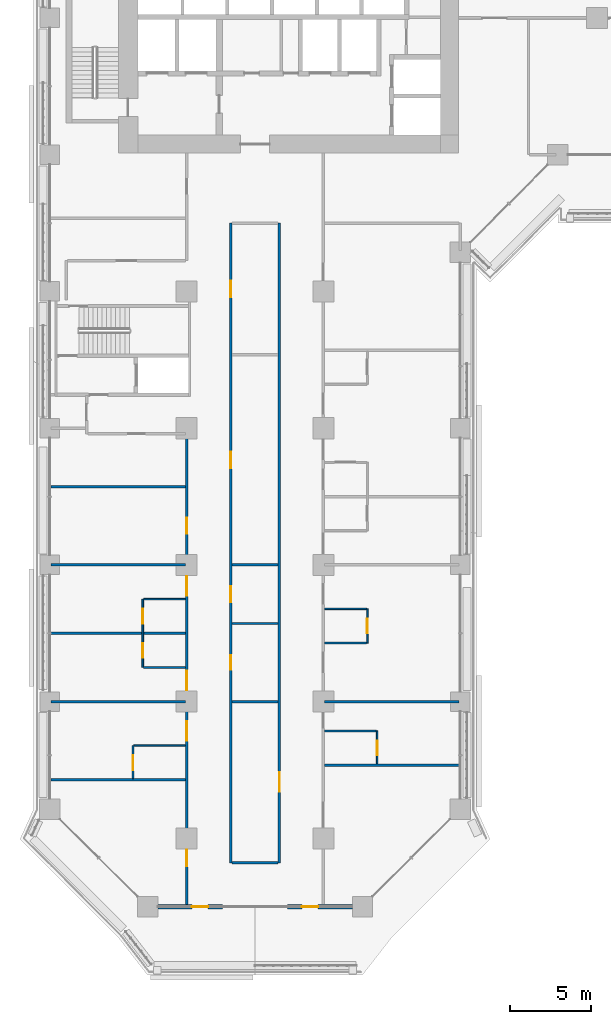
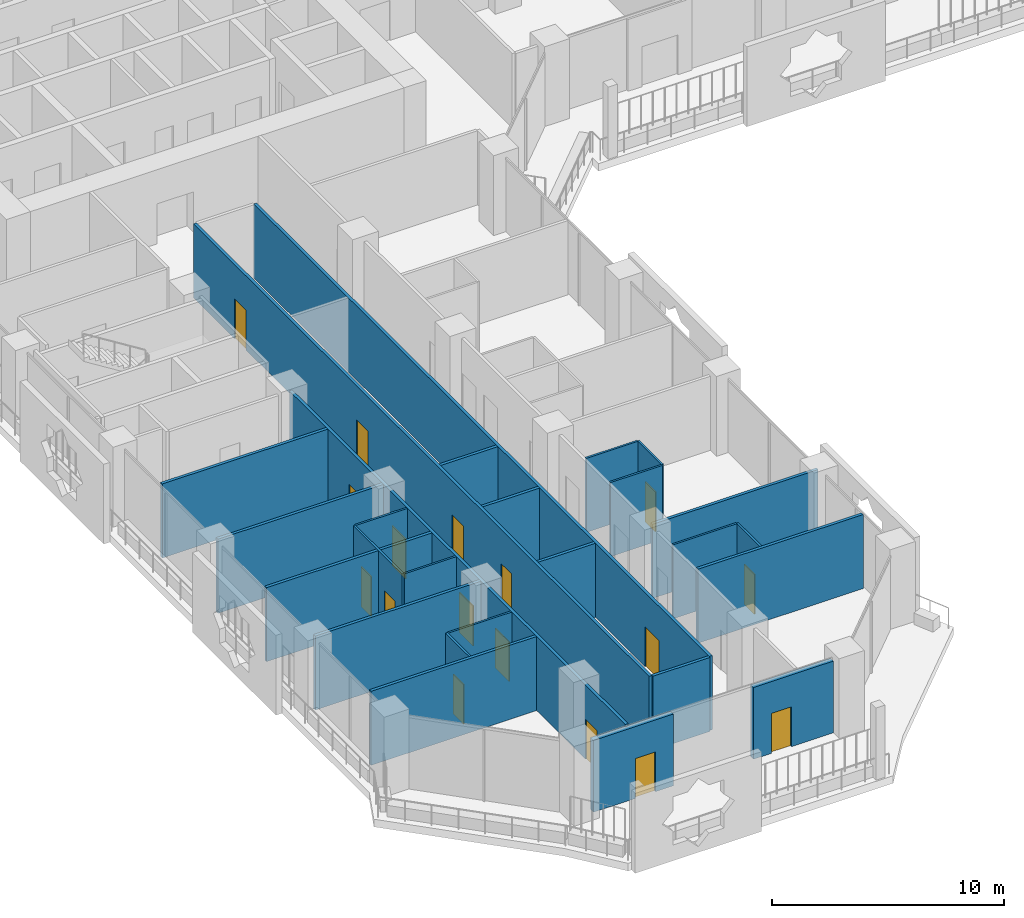
# One storey, part 13 of 28: 26 walls, 17 doors, 17 openings.
"""IFC4 building model written with IfcOpenShell, lengths in metres."""

from ifc_helpers import new_model, si_unit, direction, frame, frame_2d, origin, place, context, subcontext, project, spatial, rectangle, extrude, material, layer, layer_set, type_object, element, fill, save


model = new_model("IFC4")

# Units and contexts
model_context = context("Model", 3, precision=1e-05, world=origin(), true_north=direction((0.0, 1.0)))
body_context = subcontext(model_context, "Body", "Model", "MODEL_VIEW")
ifc_project = project(units=[si_unit("LENGTHUNIT", "METRE"), si_unit("AREAUNIT", "SQUARE_METRE"), si_unit("VOLUMEUNIT", "CUBIC_METRE"), si_unit("PLANEANGLEUNIT", "RADIAN"), si_unit("MASSUNIT", "GRAM", prefix="KILO")], contexts=[model_context])

# Site, building, storey
site_placement = place(None, origin())
site = spatial("IfcSite", under=ifc_project, at=site_placement, CompositionType="ELEMENT")
building_placement = place(site_placement, origin())
building = spatial("IfcBuilding", under=site, at=building_placement, Name="Kawkab Arch Medical Tower", CompositionType="ELEMENT")
storey_placement = place(building_placement, frame((0.0, 0.0, 72.800048828125)))
storey = spatial("IfcBuildingStorey", under=building, at=storey_placement, Name="L16", CompositionType="ELEMENT", Elevation=72.800048828125)

# Wall, opening, door
ifc_material_1 = material(Name="Bronze clad insulated wall panel")
ifc_layer_1 = layer(ifc_material_1, 0.25)
ifc_layer_set_1 = layer_set([ifc_layer_1], Name="Bronze clad insulated wall panel")
wall_type_1 = type_object("IfcWallType", Name="External wall bay 250", PredefinedType="SOLIDWALL", material=ifc_layer_set_1)
wall_1_placement = place(storey_placement, frame((6.625, -71.39990234375, 0.0), z_axis=(0.0, 0.0, 1.0), x_axis=(1.0, 0.0, 0.0)))
wall_1 = element("IfcWall", 1, at=wall_1_placement, inside=storey, type_object=wall_type_1, Name="External wall bay L16.R03.1.1", PredefinedType="SOLIDWALL", context=body_context, shape_type="SweptSolid", body=[
    extrude(rectangle(XDim=3.9833984375, YDim=0.25, at=frame_2d((1.99169921875, 0.0))), origin(), (0.0, 0.0, 1.0), 3.780029296875),
])
opening_1_placement = place(wall_1_placement, frame((2.091796875, 0.0, 0.0)))
opening_1 = element("IfcOpeningElement", 2, at=opening_1_placement, cuts=wall_1, Name="Opening W11-702", PredefinedType="OPENING", context=body_context, shape_type="SweptSolid", body=[
    extrude(rectangle(XDim=1.0, YDim=2.10009765625, at=frame_2d((0.5, 1.050048828125))), frame((0.0, 0.135009765625, 0.0), z_axis=(0.0, -1.0, 0.0), x_axis=(1.0, 0.0, 0.0)), (0.0, 0.0, 1.0), 0.27001953125),
])
ifc_material_2 = material(Name="Bronze anodised aluminium door with tinted glass", Category="aluminium")
door_type_1 = type_object("IfcDoorType", Name="Single external door 1000 x 2100", OperationType="SINGLE_SWING_LEFT", PredefinedType="DOOR", material=ifc_material_2)
door_1_placement = place(opening_1_placement, origin())
door_1 = element("IfcDoor", 3, at=door_1_placement, inside=storey, type_object=door_type_1, Name="External door L16.R03.1.1", OperationType="SINGLE_SWING_LEFT", OverallHeight=2.10009765625, OverallWidth=1.0, PredefinedType="DOOR", context=body_context, shape_type="SweptSolid", body=[
    extrude(rectangle(XDim=1.0, YDim=2.10009765625, at=frame_2d((0.5, 1.050048828125))), frame((0.0, 0.02490234375, 0.0), z_axis=(0.0, -1.0, 0.0), x_axis=(1.0, 0.0, 0.0)), (0.0, 0.0, 1.0), 0.050048828125),
])
fill(opening_1, door_1)

wall_2_placement = place(storey_placement, frame((14.591552734375, -71.39990234375, 0.0), z_axis=(0.0, 0.0, 1.0), x_axis=(1.0, 0.0, 0.0)))
wall_2 = element("IfcWall", 4, at=wall_2_placement, inside=storey, type_object=wall_type_1, Name="External wall bay L16.R03.1.3", PredefinedType="SOLIDWALL", context=body_context, shape_type="SweptSolid", body=[
    extrude(rectangle(XDim=3.9833984375, YDim=0.25, at=frame_2d((1.99169921875, 0.0))), origin(), (0.0, 0.0, 1.0), 3.780029296875),
])
opening_2_placement = place(wall_2_placement, frame((0.8916015625, 0.0, 0.0)))
opening_2 = element("IfcOpeningElement", 5, at=opening_2_placement, cuts=wall_2, Name="Opening W11-702", PredefinedType="OPENING", context=body_context, shape_type="SweptSolid", body=[
    extrude(rectangle(XDim=1.0, YDim=2.10009765625, at=frame_2d((0.5, 1.050048828125))), frame((0.0, 0.135009765625, 0.0), z_axis=(0.0, -1.0, 0.0), x_axis=(1.0, 0.0, 0.0)), (0.0, 0.0, 1.0), 0.27001953125),
])
door_2_placement = place(opening_2_placement, origin())
door_2 = element("IfcDoor", 6, at=door_2_placement, inside=storey, type_object=door_type_1, Name="External door L16.R03.1.3", OperationType="SINGLE_SWING_LEFT", OverallHeight=2.10009765625, OverallWidth=1.0, PredefinedType="DOOR", context=body_context, shape_type="SweptSolid", body=[
    extrude(rectangle(XDim=1.0, YDim=2.10009765625, at=frame_2d((0.5, 1.050048828125))), frame((0.0, 0.02490234375, 0.0), z_axis=(0.0, -1.0, 0.0), x_axis=(1.0, 0.0, 0.0)), (0.0, 0.0, 1.0), 0.050048828125),
])
fill(opening_2, door_2)

# Walls
ifc_material_3 = material(Name="Gypsum board partition on steel studs", Category="steel")
ifc_layer_2 = layer(ifc_material_3, 0.10009765625)
ifc_layer_set_2 = layer_set([ifc_layer_2], Name="Gypsum board partition on steel studs")
wall_type_2 = type_object("IfcWallType", Name="Partition 100", PredefinedType="PARTITIONING", material=ifc_layer_set_2)
for number, where, z_axis, x_axis, name in (
    (7, (5.14990234375, -61.5, 0.0), (0.0, 0.0, 1.0), (1.0, 0.0, 0.0), "Partition 100 w001"),
    (8, (16.875, -60.60009765625, 0.0), (0.0, 0.0, 1.0), (1.0, 0.0, 0.0), "Partition 100 w002"),
):
    element("IfcWall", number, at=place(storey_placement, frame(where, z_axis=z_axis, x_axis=x_axis)), inside=storey, type_object=wall_type_2, Name=name, PredefinedType="PARTITIONING", context=body_context, shape_type="SweptSolid", body=[
        extrude(rectangle(XDim=3.175048828125, YDim=0.10009765625, at=frame_2d((1.58740234375, 0.0))), origin(), (0.0, 0.0, 1.0), 3.89990234375),
    ])
wall_3_placement = place(storey_placement, frame((5.75, -56.699951171875, 0.0), z_axis=(0.0, 0.0, 1.0), x_axis=(1.0, 0.0, 0.0)))
element("IfcWall", 9, at=wall_3_placement, inside=storey, type_object=wall_type_2, Name="Partition 100 w003", PredefinedType="PARTITIONING", context=body_context, shape_type="SweptSolid", body=[
    extrude(rectangle(XDim=2.574951171875, YDim=0.10009765625, at=frame_2d((1.28759765625, 0.0))), origin(), (0.0, 0.0, 1.0), 3.89990234375),
])
wall_4_placement = place(storey_placement, frame((16.875, -55.199951171875, 0.0), z_axis=(0.0, 0.0, 1.0), x_axis=(1.0, 0.0, 0.0)))
element("IfcWall", 10, at=wall_4_placement, inside=storey, type_object=wall_type_2, Name="Partition 100 w004", PredefinedType="PARTITIONING", context=body_context, shape_type="SweptSolid", body=[
    extrude(rectangle(XDim=2.572998046875, YDim=0.10009765625, at=frame_2d((1.28662109375, 0.0))), origin(), (0.0, 0.0, 1.0), 3.89990234375),
])
wall_5_placement = place(storey_placement, frame((16.875, -53.10009765625, 0.0), z_axis=(0.0, 0.0, 1.0), x_axis=(1.0, 0.0, 0.0)))
element("IfcWall", 11, at=wall_5_placement, inside=storey, type_object=wall_type_2, Name="Partition 100 w005", PredefinedType="PARTITIONING", context=body_context, shape_type="SweptSolid", body=[
    extrude(rectangle(XDim=2.573974609375, YDim=0.10009765625, at=frame_2d((1.287109375, 0.0))), origin(), (0.0, 0.0, 1.0), 3.89990234375),
])
wall_6_placement = place(storey_placement, frame((5.75, -52.5, 0.0), z_axis=(0.0, 0.0, 1.0), x_axis=(1.0, 0.0, 0.0)))
element("IfcWall", 12, at=wall_6_placement, inside=storey, type_object=wall_type_2, Name="Partition 100 w006", PredefinedType="PARTITIONING", context=body_context, shape_type="SweptSolid", body=[
    extrude(rectangle(XDim=2.574951171875, YDim=0.10009765625, at=frame_2d((1.28759765625, 0.0))), origin(), (0.0, 0.0, 1.0), 3.89990234375),
])

# Wall, opening, door
wall_7_placement = place(storey_placement, frame((5.10009765625, -63.52490234375, 0.0), z_axis=(0.0, 0.0, 1.0), x_axis=(0.0, 1.0, 0.0)))
wall_7 = element("IfcWall", 13, at=wall_7_placement, inside=storey, type_object=wall_type_2, Name="Partition 100 w021", PredefinedType="PARTITIONING", context=body_context, shape_type="SweptSolid", body=[
    extrude(rectangle(XDim=2.02490234375, YDim=0.10009765625, at=frame_2d((1.012451171875, 0.0))), origin(), (0.0, 0.0, 1.0), 3.89990234375),
])
opening_3_placement = place(wall_7_placement, frame((0.52490234375, 0.0, 0.0)))
opening_3 = element("IfcOpeningElement", 14, at=opening_3_placement, cuts=wall_7, Name="Opening W11-020", PredefinedType="OPENING", context=body_context, shape_type="SweptSolid", body=[
    extrude(rectangle(XDim=0.89990234375, YDim=2.10009765625, at=frame_2d((0.449951171875, 1.050048828125))), frame((0.0, 0.06005859375, 0.0), z_axis=(0.0, -1.0, 0.0), x_axis=(1.0, 0.0, 0.0)), (0.0, 0.0, 1.0), 0.1201171875),
])
ifc_material_4 = material(Name="Timber door leaf", Category="wood")
door_type_2 = type_object("IfcDoorType", Name="Single door 900x2100", OperationType="NOTDEFINED", PredefinedType="DOOR", material=ifc_material_4)
door_3_placement = place(opening_3_placement, origin())
door_3 = element("IfcDoor", 15, at=door_3_placement, inside=storey, type_object=door_type_2, Name="Door W11-020", OperationType="SINGLE_SWING_RIGHT", OverallHeight=2.10009765625, OverallWidth=0.89990234375, PredefinedType="DOOR", context=body_context, shape_type="SweptSolid", body=[
    extrude(rectangle(XDim=0.89990234375, YDim=2.10009765625, at=frame_2d((0.449951171875, 1.050048828125))), frame((0.0, 0.02490234375, 0.0), z_axis=(0.0, -1.0, 0.0), x_axis=(1.0, 0.0, 0.0)), (0.0, 0.0, 1.0), 0.050048828125),
])
fill(opening_3, door_3)

# Wall, openings, doors
wall_8_placement = place(storey_placement, frame((5.699951171875, -56.699951171875, 0.0), z_axis=(0.0, 0.0, 1.0), x_axis=(0.0, 1.0, 0.0)))
wall_8 = element("IfcWall", 16, at=wall_8_placement, inside=storey, type_object=wall_type_2, Name="Partition 100 w022", PredefinedType="PARTITIONING", context=body_context, shape_type="SweptSolid", body=[
    extrude(rectangle(XDim=4.199951171875, YDim=0.10009765625, at=frame_2d((2.10009765625, 0.0))), origin(), (0.0, 0.0, 1.0), 3.89990234375),
])
opening_4_placement = place(wall_8_placement, frame((2.699951171875, 0.0, 0.0)))
opening_4 = element("IfcOpeningElement", 17, at=opening_4_placement, cuts=wall_8, Name="Opening W11-018", PredefinedType="OPENING", context=body_context, shape_type="SweptSolid", body=[
    extrude(rectangle(XDim=0.89990234375, YDim=2.10009765625, at=frame_2d((0.449951171875, 1.050048828125))), frame((0.0, 0.06005859375, 0.0), z_axis=(0.0, -1.0, 0.0), x_axis=(1.0, 0.0, 0.0)), (0.0, 0.0, 1.0), 0.1201171875),
])
opening_5_placement = place(wall_8_placement, frame((0.60009765625, 0.0, 0.0)))
opening_5 = element("IfcOpeningElement", 18, at=opening_5_placement, cuts=wall_8, Name="Opening W11-019", PredefinedType="OPENING", context=body_context, shape_type="SweptSolid", body=[
    extrude(rectangle(XDim=0.89990234375, YDim=2.10009765625, at=frame_2d((0.449951171875, 1.050048828125))), frame((0.0, 0.06005859375, 0.0), z_axis=(0.0, -1.0, 0.0), x_axis=(1.0, 0.0, 0.0)), (0.0, 0.0, 1.0), 0.1201171875),
])
door_4_placement = place(opening_4_placement, origin())
door_4 = element("IfcDoor", 19, at=door_4_placement, inside=storey, type_object=door_type_2, Name="Door W11-018", OperationType="SINGLE_SWING_RIGHT", OverallHeight=2.10009765625, OverallWidth=0.89990234375, PredefinedType="DOOR", context=body_context, shape_type="SweptSolid", body=[
    extrude(rectangle(XDim=0.89990234375, YDim=2.10009765625, at=frame_2d((0.449951171875, 1.050048828125))), frame((0.0, 0.02490234375, 0.0), z_axis=(0.0, -1.0, 0.0), x_axis=(1.0, 0.0, 0.0)), (0.0, 0.0, 1.0), 0.050048828125),
])
fill(opening_4, door_4)
door_5_placement = place(opening_5_placement, origin())
door_5 = element("IfcDoor", 20, at=door_5_placement, inside=storey, type_object=door_type_2, Name="Door W11-019", OperationType="SINGLE_SWING_LEFT", OverallHeight=2.10009765625, OverallWidth=0.89990234375, PredefinedType="DOOR", context=body_context, shape_type="SweptSolid", body=[
    extrude(rectangle(XDim=0.89990234375, YDim=2.10009765625, at=frame_2d((0.449951171875, 1.050048828125))), frame((0.0, 0.02490234375, 0.0), z_axis=(0.0, -1.0, 0.0), x_axis=(1.0, 0.0, 0.0)), (0.0, 0.0, 1.0), 0.050048828125),
])
fill(opening_5, door_5)

# Wall, opening, door
wall_9_placement = place(storey_placement, frame((19.5, -55.197998046875, 0.0), z_axis=(0.0, 0.0, 1.0), x_axis=(0.0, 1.0, 0.0)))
wall_9 = element("IfcWall", 21, at=wall_9_placement, inside=storey, type_object=wall_type_2, Name="Partition 100 w023", PredefinedType="PARTITIONING", context=body_context, shape_type="SweptSolid", body=[
    extrude(rectangle(XDim=2.095947265625, YDim=0.10009765625, at=frame_2d((1.0478515625, 0.0))), origin(), (0.0, 0.0, 1.0), 3.89990234375),
])
opening_6_placement = place(wall_9_placement, frame((0.597900390625, 0.0, 0.0)))
opening_6 = element("IfcOpeningElement", 22, at=opening_6_placement, cuts=wall_9, Name="Opening W11-024", PredefinedType="OPENING", context=body_context, shape_type="SweptSolid", body=[
    extrude(rectangle(XDim=0.89990234375, YDim=2.10009765625, at=frame_2d((0.449951171875, 1.050048828125))), frame((0.0, 0.06005859375, 0.0), z_axis=(0.0, -1.0, 0.0), x_axis=(1.0, 0.0, 0.0)), (0.0, 0.0, 1.0), 0.1201171875),
])
door_6_placement = place(opening_6_placement, origin())
door_6 = element("IfcDoor", 23, at=door_6_placement, inside=storey, type_object=door_type_2, Name="Door W11-024", OperationType="SINGLE_SWING_RIGHT", OverallHeight=2.10009765625, OverallWidth=0.89990234375, PredefinedType="DOOR", context=body_context, shape_type="SweptSolid", body=[
    extrude(rectangle(XDim=0.89990234375, YDim=2.10009765625, at=frame_2d((0.449951171875, 1.050048828125))), frame((0.0, 0.02490234375, 0.0), z_axis=(0.0, -1.0, 0.0), x_axis=(1.0, 0.0, 0.0)), (0.0, 0.0, 1.0), 0.050048828125),
])
fill(opening_6, door_6)

wall_10_placement = place(storey_placement, frame((20.10009765625, -62.625, 0.0), z_axis=(0.0, 0.0, 1.0), x_axis=(0.0, 1.0, 0.0)))
wall_10 = element("IfcWall", 24, at=wall_10_placement, inside=storey, type_object=wall_type_2, Name="Partition 100 w026", PredefinedType="PARTITIONING", context=body_context, shape_type="SweptSolid", body=[
    extrude(rectangle(XDim=2.02490234375, YDim=0.10009765625, at=frame_2d((1.012451171875, 0.0))), origin(), (0.0, 0.0, 1.0), 3.89990234375),
])
opening_7_placement = place(wall_10_placement, frame((0.52490234375, 0.0, 0.0)))
opening_7 = element("IfcOpeningElement", 25, at=opening_7_placement, cuts=wall_10, Name="Opening W11-025", PredefinedType="OPENING", context=body_context, shape_type="SweptSolid", body=[
    extrude(rectangle(XDim=0.89990234375, YDim=2.10009765625, at=frame_2d((0.449951171875, 1.050048828125))), frame((0.0, 0.06005859375, 0.0), z_axis=(0.0, -1.0, 0.0), x_axis=(1.0, 0.0, 0.0)), (0.0, 0.0, 1.0), 0.1201171875),
])
door_7_placement = place(opening_7_placement, origin())
door_7 = element("IfcDoor", 26, at=door_7_placement, inside=storey, type_object=door_type_2, Name="Door W11-025", OperationType="SINGLE_SWING_RIGHT", OverallHeight=2.10009765625, OverallWidth=0.89990234375, PredefinedType="DOOR", context=body_context, shape_type="SweptSolid", body=[
    extrude(rectangle(XDim=0.89990234375, YDim=2.10009765625, at=frame_2d((0.449951171875, 1.050048828125))), frame((0.0, 0.02490234375, 0.0), z_axis=(0.0, -1.0, 0.0), x_axis=(1.0, 0.0, 0.0)), (0.0, 0.0, 1.0), 0.050048828125),
])
fill(opening_7, door_7)

# Walls
ifc_material_5 = material(Name="Gypsum board partition on steel studs, mineral wool", Category="steel")
ifc_layer_3 = layer(ifc_material_5, 0.14990234375)
ifc_layer_set_3 = layer_set([ifc_layer_3], Name="Gypsum board partition on steel studs, mineral wool")
wall_type_3 = type_object("IfcWallType", Name="Partition 150", PredefinedType="PARTITIONING", material=ifc_layer_set_3)
wall_11_placement = place(storey_placement, frame((11.175048828125, -68.699951171875, 0.0), z_axis=(0.0, 0.0, 1.0), x_axis=(1.0, 0.0, 0.0)))
element("IfcWall", 27, at=wall_11_placement, inside=storey, type_object=wall_type_3, Name="Partition 150 w039", PredefinedType="PARTITIONING", context=body_context, shape_type="SweptSolid", body=[
    extrude(rectangle(XDim=2.849853515625, YDim=0.14990234375, at=frame_2d((1.4248046875, 0.0))), origin(), (0.0, 0.0, 1.0), 3.89990234375),
])
wall_12_placement = place(storey_placement, frame((0.080078125, -63.60009765625, 0.0), z_axis=(0.0, 0.0, 1.0), x_axis=(1.0, 0.0, 0.0)))
element("IfcWall", 28, at=wall_12_placement, inside=storey, type_object=wall_type_3, Name="Partition 150 w040", PredefinedType="PARTITIONING", context=body_context, shape_type="SweptSolid", body=[
    extrude(rectangle(XDim=8.244873046875, YDim=0.14990234375, at=frame_2d((4.12255859375, 0.0))), origin(), (0.0, 0.0, 1.0), 3.89990234375),
])
wall_13_placement = place(storey_placement, frame((16.875, -62.699951171875, 0.0), z_axis=(0.0, 0.0, 1.0), x_axis=(1.0, 0.0, 0.0)))
element("IfcWall", 29, at=wall_13_placement, inside=storey, type_object=wall_type_3, Name="Partition 150 w041", PredefinedType="PARTITIONING", context=body_context, shape_type="SweptSolid", body=[
    extrude(rectangle(XDim=8.2451171875, YDim=0.14990234375, at=frame_2d((4.12255859375, 0.0))), origin(), (0.0, 0.0, 1.0), 3.89990234375),
])
wall_14_placement = place(storey_placement, frame((0.080078125, -58.800048828125, 0.0), z_axis=(0.0, 0.0, 1.0), x_axis=(1.0, 0.0, 0.0)))
element("IfcWall", 30, at=wall_14_placement, inside=storey, type_object=wall_type_3, Name="Partition 150 w042", PredefinedType="PARTITIONING", context=body_context, shape_type="SweptSolid", body=[
    extrude(rectangle(XDim=8.244873046875, YDim=0.14990234375, at=frame_2d((4.12255859375, 0.0))), origin(), (0.0, 0.0, 1.0), 3.89990234375),
])
wall_15_placement = place(storey_placement, frame((11.175048828125, -58.800048828125, 0.0), z_axis=(0.0, 0.0, 1.0), x_axis=(1.0, 0.0, 0.0)))
element("IfcWall", 31, at=wall_15_placement, inside=storey, type_object=wall_type_3, Name="Partition 150 w043", PredefinedType="PARTITIONING", context=body_context, shape_type="SweptSolid", body=[
    extrude(rectangle(XDim=2.849853515625, YDim=0.14990234375, at=frame_2d((1.4248046875, 0.0))), origin(), (0.0, 0.0, 1.0), 3.89990234375),
])
wall_16_placement = place(storey_placement, frame((16.875, -58.800048828125, 0.0), z_axis=(0.0, 0.0, 1.0), x_axis=(1.0, 0.0, 0.0)))
element("IfcWall", 32, at=wall_16_placement, inside=storey, type_object=wall_type_3, Name="Partition 150 w044", PredefinedType="PARTITIONING", context=body_context, shape_type="SweptSolid", body=[
    extrude(rectangle(XDim=8.2451171875, YDim=0.14990234375, at=frame_2d((4.12255859375, 0.0))), origin(), (0.0, 0.0, 1.0), 3.89990234375),
])
wall_17_placement = place(storey_placement, frame((0.080078125, -54.60009765625, 0.0), z_axis=(0.0, 0.0, 1.0), x_axis=(1.0, 0.0, 0.0)))
element("IfcWall", 33, at=wall_17_placement, inside=storey, type_object=wall_type_3, Name="Partition 150 w045", PredefinedType="PARTITIONING", context=body_context, shape_type="SweptSolid", body=[
    extrude(rectangle(XDim=8.244873046875, YDim=0.14990234375, at=frame_2d((4.12255859375, 0.0))), origin(), (0.0, 0.0, 1.0), 3.89990234375),
])
wall_18_placement = place(storey_placement, frame((11.175048828125, -54.0, 0.0), z_axis=(0.0, 0.0, 1.0), x_axis=(1.0, 0.0, 0.0)))
element("IfcWall", 34, at=wall_18_placement, inside=storey, type_object=wall_type_3, Name="Partition 150 w046", PredefinedType="PARTITIONING", context=body_context, shape_type="SweptSolid", body=[
    extrude(rectangle(XDim=2.849853515625, YDim=0.14990234375, at=frame_2d((1.4248046875, 0.0))), origin(), (0.0, 0.0, 1.0), 3.89990234375),
])
wall_19_placement = place(storey_placement, frame((0.080078125, -50.39990234375, 0.0), z_axis=(0.0, 0.0, 1.0), x_axis=(1.0, 0.0, 0.0)))
element("IfcWall", 35, at=wall_19_placement, inside=storey, type_object=wall_type_3, Name="Partition 150 w047", PredefinedType="PARTITIONING", context=body_context, shape_type="SweptSolid", body=[
    extrude(rectangle(XDim=8.244873046875, YDim=0.14990234375, at=frame_2d((4.12255859375, 0.0))), origin(), (0.0, 0.0, 1.0), 3.89990234375),
])
wall_20_placement = place(storey_placement, frame((11.175048828125, -50.39990234375, 0.0), z_axis=(0.0, 0.0, 1.0), x_axis=(1.0, 0.0, 0.0)))
element("IfcWall", 36, at=wall_20_placement, inside=storey, type_object=wall_type_3, Name="Partition 150 w048", PredefinedType="PARTITIONING", context=body_context, shape_type="SweptSolid", body=[
    extrude(rectangle(XDim=2.849853515625, YDim=0.14990234375, at=frame_2d((1.4248046875, 0.0))), origin(), (0.0, 0.0, 1.0), 3.89990234375),
])
wall_21_placement = place(storey_placement, frame((0.080078125, -45.60009765625, 0.0), z_axis=(0.0, 0.0, 1.0), x_axis=(1.0, 0.0, 0.0)))
element("IfcWall", 37, at=wall_21_placement, inside=storey, type_object=wall_type_3, Name="Partition 150 w051", PredefinedType="PARTITIONING", context=body_context, shape_type="SweptSolid", body=[
    extrude(rectangle(XDim=8.244873046875, YDim=0.14990234375, at=frame_2d((4.12255859375, 0.0))), origin(), (0.0, 0.0, 1.0), 3.89990234375),
])

# Wall, openings, doors
wall_22_placement = place(storey_placement, frame((8.39990234375, -71.320068359375, 0.0), z_axis=(0.0, 0.0, 1.0), x_axis=(0.0, 1.0, 0.0)))
wall_22 = element("IfcWall", 38, at=wall_22_placement, inside=storey, type_object=wall_type_3, Name="Partition 150 w073", PredefinedType="PARTITIONING", context=body_context, shape_type="SweptSolid", body=[
    extrude(rectangle(XDim=28.969970703125, YDim=0.14990234375, at=frame_2d((14.48486328125, 0.0))), origin(), (0.0, 0.0, 1.0), 3.89990234375),
])
opening_8_placement = place(wall_22_placement, frame((22.820068359375, 0.0, 0.0)))
opening_8 = element("IfcOpeningElement", 39, at=opening_8_placement, cuts=wall_22, Name="Opening W11-035", PredefinedType="OPENING", context=body_context, shape_type="SweptSolid", body=[
    extrude(rectangle(XDim=1.0, YDim=2.10009765625, at=frame_2d((0.5, 1.050048828125))), frame((0.0, 0.0849609375, 0.0), z_axis=(0.0, -1.0, 0.0), x_axis=(1.0, 0.0, 0.0)), (0.0, 0.0, 1.0), 0.169921875),
])
opening_9_placement = place(wall_22_placement, frame((19.02001953125, 0.0, 0.0)))
opening_9 = element("IfcOpeningElement", 40, at=opening_9_placement, cuts=wall_22, Name="Opening W11-063", PredefinedType="OPENING", context=body_context, shape_type="SweptSolid", body=[
    extrude(rectangle(XDim=1.199951171875, YDim=2.10009765625, at=frame_2d((0.60009765625, 1.050048828125))), frame((0.0, 0.0849609375, 0.0), z_axis=(0.0, -1.0, 0.0), x_axis=(1.0, 0.0, 0.0)), (0.0, 0.0, 1.0), 0.169921875),
])
opening_10_placement = place(wall_22_placement, frame((13.219970703125, 0.0, 0.0)))
opening_10 = element("IfcOpeningElement", 41, at=opening_10_placement, cuts=wall_22, Name="Opening W11-064", PredefinedType="OPENING", context=body_context, shape_type="SweptSolid", body=[
    extrude(rectangle(XDim=1.199951171875, YDim=2.10009765625, at=frame_2d((0.60009765625, 1.050048828125))), frame((0.0, 0.0849609375, 0.0), z_axis=(0.0, -1.0, 0.0), x_axis=(1.0, 0.0, 0.0)), (0.0, 0.0, 1.0), 0.169921875),
])
opening_11_placement = place(wall_22_placement, frame((10.1201171875, 0.0, 0.0)))
opening_11 = element("IfcOpeningElement", 42, at=opening_11_placement, cuts=wall_22, Name="Opening W11-065", PredefinedType="OPENING", context=body_context, shape_type="SweptSolid", body=[
    extrude(rectangle(XDim=1.199951171875, YDim=2.10009765625, at=frame_2d((0.60009765625, 1.050048828125))), frame((0.0, 0.0849609375, 0.0), z_axis=(0.0, -1.0, 0.0), x_axis=(1.0, 0.0, 0.0)), (0.0, 0.0, 1.0), 0.169921875),
])
opening_12_placement = place(wall_22_placement, frame((2.419921875, 0.0, 0.0)))
opening_12 = element("IfcOpeningElement", 43, at=opening_12_placement, cuts=wall_22, Name="Opening W11-036", PredefinedType="OPENING", context=body_context, shape_type="SweptSolid", body=[
    extrude(rectangle(XDim=1.0, YDim=2.10009765625, at=frame_2d((0.5, 1.050048828125))), frame((0.0, 0.0849609375, 0.0), z_axis=(0.0, -1.0, 0.0), x_axis=(1.0, 0.0, 0.0)), (0.0, 0.0, 1.0), 0.169921875),
])
ifc_material_6 = material(Name="Hollow metal door leaf")
door_type_3 = type_object("IfcDoorType", Name="Single door 1000x2100 FD30S", OperationType="NOTDEFINED", PredefinedType="DOOR", material=ifc_material_6)
door_8_placement = place(opening_8_placement, origin())
door_8 = element("IfcDoor", 44, at=door_8_placement, inside=storey, type_object=door_type_3, Name="Door W11-035", OperationType="SINGLE_SWING_RIGHT", OverallHeight=2.10009765625, OverallWidth=1.0, PredefinedType="DOOR", context=body_context, shape_type="SweptSolid", body=[
    extrude(rectangle(XDim=1.0, YDim=2.10009765625, at=frame_2d((0.5, 1.050048828125))), frame((0.0, 0.02490234375, 0.0), z_axis=(0.0, -1.0, 0.0), x_axis=(1.0, 0.0, 0.0)), (0.0, 0.0, 1.0), 0.050048828125),
])
fill(opening_8, door_8)
door_9_placement = place(opening_12_placement, origin())
door_9 = element("IfcDoor", 45, at=door_9_placement, inside=storey, type_object=door_type_3, Name="Door W11-036", OperationType="SINGLE_SWING_LEFT", OverallHeight=2.10009765625, OverallWidth=1.0, PredefinedType="DOOR", context=body_context, shape_type="SweptSolid", body=[
    extrude(rectangle(XDim=1.0, YDim=2.10009765625, at=frame_2d((0.5, 1.050048828125))), frame((0.0, 0.02490234375, 0.0), z_axis=(0.0, -1.0, 0.0), x_axis=(1.0, 0.0, 0.0)), (0.0, 0.0, 1.0), 0.050048828125),
])
fill(opening_12, door_9)
ifc_material_7 = material(Name="Hollow metal door leaf")
door_type_4 = type_object("IfcDoorType", Name="Single door 1200x2100 FD30S", OperationType="NOTDEFINED", PredefinedType="DOOR", material=ifc_material_7)
door_10_placement = place(opening_9_placement, origin())
door_10 = element("IfcDoor", 46, at=door_10_placement, inside=storey, type_object=door_type_4, Name="Door W11-063", OperationType="SINGLE_SWING_RIGHT", OverallHeight=2.10009765625, OverallWidth=1.199951171875, PredefinedType="DOOR", context=body_context, shape_type="SweptSolid", body=[
    extrude(rectangle(XDim=1.199951171875, YDim=2.10009765625, at=frame_2d((0.60009765625, 1.050048828125))), frame((0.0, 0.02490234375, 0.0), z_axis=(0.0, -1.0, 0.0), x_axis=(1.0, 0.0, 0.0)), (0.0, 0.0, 1.0), 0.050048828125),
])
fill(opening_9, door_10)
door_11_placement = place(opening_10_placement, origin())
door_11 = element("IfcDoor", 47, at=door_11_placement, inside=storey, type_object=door_type_4, Name="Door W11-064", OperationType="SINGLE_SWING_LEFT", OverallHeight=2.10009765625, OverallWidth=1.199951171875, PredefinedType="DOOR", context=body_context, shape_type="SweptSolid", body=[
    extrude(rectangle(XDim=1.199951171875, YDim=2.10009765625, at=frame_2d((0.60009765625, 1.050048828125))), frame((0.0, 0.02490234375, 0.0), z_axis=(0.0, -1.0, 0.0), x_axis=(1.0, 0.0, 0.0)), (0.0, 0.0, 1.0), 0.050048828125),
])
fill(opening_10, door_11)
door_12_placement = place(opening_11_placement, origin())
door_12 = element("IfcDoor", 48, at=door_12_placement, inside=storey, type_object=door_type_4, Name="Door W11-065", OperationType="SINGLE_SWING_LEFT", OverallHeight=2.10009765625, OverallWidth=1.199951171875, PredefinedType="DOOR", context=body_context, shape_type="SweptSolid", body=[
    extrude(rectangle(XDim=1.199951171875, YDim=2.10009765625, at=frame_2d((0.60009765625, 1.050048828125))), frame((0.0, 0.02490234375, 0.0), z_axis=(0.0, -1.0, 0.0), x_axis=(1.0, 0.0, 0.0)), (0.0, 0.0, 1.0), 0.050048828125),
])
fill(opening_11, door_12)

wall_23_placement = place(storey_placement, frame((11.10009765625, -68.699951171875, 0.0), z_axis=(0.0, 0.0, 1.0), x_axis=(0.0, 1.0, 0.0)))
wall_23 = element("IfcWall", 49, at=wall_23_placement, inside=storey, type_object=wall_type_3, Name="Partition 150 w075", PredefinedType="PARTITIONING", context=body_context, shape_type="SweptSolid", body=[
    extrude(rectangle(XDim=39.300048828125, YDim=0.14990234375, at=frame_2d((19.64990234375, 0.0))), origin(), (0.0, 0.0, 1.0), 3.89990234375),
])
opening_13_placement = place(wall_23_placement, frame((34.75, 0.0, 0.0)))
opening_13 = element("IfcOpeningElement", 50, at=opening_13_placement, cuts=wall_23, Name="Opening W11-037", PredefinedType="OPENING", context=body_context, shape_type="SweptSolid", body=[
    extrude(rectangle(XDim=1.0, YDim=2.10009765625, at=frame_2d((0.5, 1.050048828125))), frame((0.0, 0.0849609375, 0.0), z_axis=(0.0, -1.0, 0.0), x_axis=(1.0, 0.0, 0.0)), (0.0, 0.0, 1.0), 0.169921875),
])
opening_14_placement = place(wall_23_placement, frame((24.25, 0.0, 0.0)))
opening_14 = element("IfcOpeningElement", 51, at=opening_14_placement, cuts=wall_23, Name="Opening W11-038", PredefinedType="OPENING", context=body_context, shape_type="SweptSolid", body=[
    extrude(rectangle(XDim=1.0, YDim=2.10009765625, at=frame_2d((0.5, 1.050048828125))), frame((0.0, 0.0849609375, 0.0), z_axis=(0.0, -1.0, 0.0), x_axis=(1.0, 0.0, 0.0)), (0.0, 0.0, 1.0), 0.169921875),
])
opening_15_placement = place(wall_23_placement, frame((16.0, 0.0, 0.0)))
opening_15 = element("IfcOpeningElement", 52, at=opening_15_placement, cuts=wall_23, Name="Opening W11-039", PredefinedType="OPENING", context=body_context, shape_type="SweptSolid", body=[
    extrude(rectangle(XDim=1.0, YDim=2.10009765625, at=frame_2d((0.5, 1.050048828125))), frame((0.0, 0.0849609375, 0.0), z_axis=(0.0, -1.0, 0.0), x_axis=(1.0, 0.0, 0.0)), (0.0, 0.0, 1.0), 0.169921875),
])
opening_16_placement = place(wall_23_placement, frame((11.85009765625, 0.0, 0.0)))
opening_16 = element("IfcOpeningElement", 53, at=opening_16_placement, cuts=wall_23, Name="Opening W11-021", PredefinedType="OPENING", context=body_context, shape_type="SweptSolid", body=[
    extrude(rectangle(XDim=0.89990234375, YDim=2.10009765625, at=frame_2d((0.449951171875, 1.050048828125))), frame((0.0, 0.0849609375, 0.0), z_axis=(0.0, -1.0, 0.0), x_axis=(1.0, 0.0, 0.0)), (0.0, 0.0, 1.0), 0.169921875),
])
door_13_placement = place(opening_13_placement, origin())
door_13 = element("IfcDoor", 54, at=door_13_placement, inside=storey, type_object=door_type_3, Name="Door W11-037", OperationType="SINGLE_SWING_LEFT", OverallHeight=2.10009765625, OverallWidth=1.0, PredefinedType="DOOR", context=body_context, shape_type="SweptSolid", body=[
    extrude(rectangle(XDim=1.0, YDim=2.10009765625, at=frame_2d((0.5, 1.050048828125))), frame((0.0, 0.02490234375, 0.0), z_axis=(0.0, -1.0, 0.0), x_axis=(1.0, 0.0, 0.0)), (0.0, 0.0, 1.0), 0.050048828125),
])
fill(opening_13, door_13)
door_14_placement = place(opening_14_placement, origin())
door_14 = element("IfcDoor", 55, at=door_14_placement, inside=storey, type_object=door_type_3, Name="Door W11-038", OperationType="SINGLE_SWING_LEFT", OverallHeight=2.10009765625, OverallWidth=1.0, PredefinedType="DOOR", context=body_context, shape_type="SweptSolid", body=[
    extrude(rectangle(XDim=1.0, YDim=2.10009765625, at=frame_2d((0.5, 1.050048828125))), frame((0.0, 0.02490234375, 0.0), z_axis=(0.0, -1.0, 0.0), x_axis=(1.0, 0.0, 0.0)), (0.0, 0.0, 1.0), 0.050048828125),
])
fill(opening_14, door_14)
door_15_placement = place(opening_15_placement, origin())
door_15 = element("IfcDoor", 56, at=door_15_placement, inside=storey, type_object=door_type_3, Name="Door W11-039", OperationType="SINGLE_SWING_RIGHT", OverallHeight=2.10009765625, OverallWidth=1.0, PredefinedType="DOOR", context=body_context, shape_type="SweptSolid", body=[
    extrude(rectangle(XDim=1.0, YDim=2.10009765625, at=frame_2d((0.5, 1.050048828125))), frame((0.0, 0.02490234375, 0.0), z_axis=(0.0, -1.0, 0.0), x_axis=(1.0, 0.0, 0.0)), (0.0, 0.0, 1.0), 0.050048828125),
])
fill(opening_15, door_15)
door_16_placement = place(opening_16_placement, origin())
door_16 = element("IfcDoor", 57, at=door_16_placement, inside=storey, type_object=door_type_2, Name="Door W11-021", OperationType="SINGLE_SWING_RIGHT", OverallHeight=2.10009765625, OverallWidth=0.89990234375, PredefinedType="DOOR", context=body_context, shape_type="SweptSolid", body=[
    extrude(rectangle(XDim=0.89990234375, YDim=2.10009765625, at=frame_2d((0.449951171875, 1.050048828125))), frame((0.0, 0.02490234375, 0.0), z_axis=(0.0, -1.0, 0.0), x_axis=(1.0, 0.0, 0.0)), (0.0, 0.0, 1.0), 0.050048828125),
])
fill(opening_16, door_16)

# Wall, opening, door
wall_24_placement = place(storey_placement, frame((14.10009765625, -68.699951171875, 0.0), z_axis=(0.0, 0.0, 1.0), x_axis=(0.0, 1.0, 0.0)))
wall_24 = element("IfcWall", 58, at=wall_24_placement, inside=storey, type_object=wall_type_3, Name="Partition 150 w076", PredefinedType="PARTITIONING", context=body_context, shape_type="SweptSolid", body=[
    extrude(rectangle(XDim=39.300048828125, YDim=0.14990234375, at=frame_2d((19.64990234375, 0.0))), origin(), (0.0, 0.0, 1.0), 3.89990234375),
])
opening_17_placement = place(wall_24_placement, frame((4.35009765625, 0.0, 0.0)))
opening_17 = element("IfcOpeningElement", 59, at=opening_17_placement, cuts=wall_24, Name="Opening W11-066", PredefinedType="OPENING", context=body_context, shape_type="SweptSolid", body=[
    extrude(rectangle(XDim=1.199951171875, YDim=2.10009765625, at=frame_2d((0.60009765625, 1.050048828125))), frame((0.0, 0.0849609375, 0.0), z_axis=(0.0, -1.0, 0.0), x_axis=(1.0, 0.0, 0.0)), (0.0, 0.0, 1.0), 0.169921875),
])
door_17_placement = place(opening_17_placement, origin())
door_17 = element("IfcDoor", 60, at=door_17_placement, inside=storey, type_object=door_type_4, Name="Door W11-066", OperationType="SINGLE_SWING_LEFT", OverallHeight=2.10009765625, OverallWidth=1.199951171875, PredefinedType="DOOR", context=body_context, shape_type="SweptSolid", body=[
    extrude(rectangle(XDim=1.199951171875, YDim=2.10009765625, at=frame_2d((0.60009765625, 1.050048828125))), frame((0.0, 0.02490234375, 0.0), z_axis=(0.0, -1.0, 0.0), x_axis=(1.0, 0.0, 0.0)), (0.0, 0.0, 1.0), 0.050048828125),
])
fill(opening_17, door_17)

save(model, "model.ifc")
